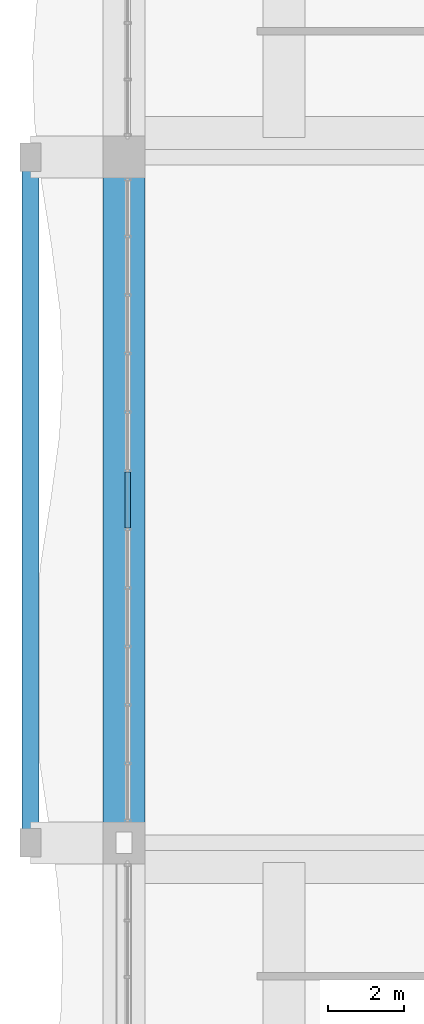
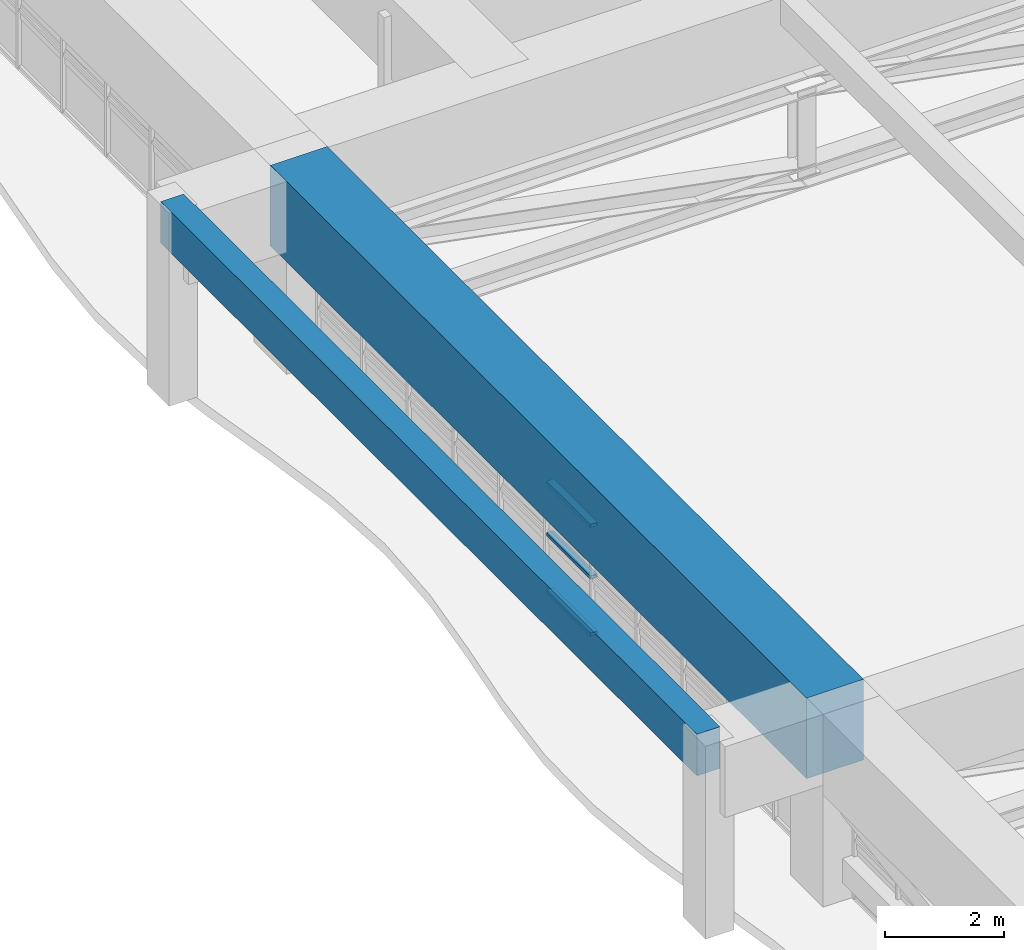
# One storey, part 9 of 35: 3 members, 2 beams, 1 element without a shape of its own.
"""IFC4 building model written with IfcOpenShell, lengths in metres."""

from ifc_helpers import new_model, si_unit, direction, frame, origin, origin_2d, place, context, subcontext, project, spatial, rectangle, hollow_rectangle, extrude, source, transform, mapped, material, layer, layer_set, material_profile, profile_set, type_object, element, aggregate, save


model = new_model("IFC4")

# Units and contexts
model_context = context("Model", 3, precision=1e-05, world=origin(), true_north=direction((0.0, 1.0)))
body_context = subcontext(model_context, "Body", "Model", "MODEL_VIEW")
ifc_project = project(units=[si_unit("LENGTHUNIT", "METRE"), si_unit("AREAUNIT", "SQUARE_METRE"), si_unit("VOLUMEUNIT", "CUBIC_METRE"), si_unit("PLANEANGLEUNIT", "RADIAN"), si_unit("MASSUNIT", "GRAM", prefix="KILO")], contexts=[model_context])

# Site, building, storey
site_placement = place(None, origin())
site = spatial("IfcSite", under=ifc_project, at=site_placement, CompositionType="ELEMENT")
building_placement = place(site_placement, origin())
building = spatial("IfcBuilding", under=site, at=building_placement, Name="Saelheon Loggia Tower", CompositionType="ELEMENT")
storey_placement = place(building_placement, frame((0.0, 0.0, 70.39990234375)))
storey = spatial("IfcBuildingStorey", under=building, at=storey_placement, Name="L22", CompositionType="ELEMENT", Elevation=70.39990234375)

# Beams
ifc_material_1 = material(Name="Precast Concrete C45/55", Category="concrete")
ifc_material_profile_1 = material_profile(ifc_material_1, rectangle(XDim=0.449951171875, YDim=0.85009765625, at=origin_2d()), Name="RC-450x850")
ifc_profile_set_1 = profile_set([ifc_material_profile_1], Name="Precast Concrete C45/55")
beam_type_1 = type_object("IfcBeamType", Name="Beam_LoggiaSpandrel_RC450x850", PredefinedType="SPANDREL", material=ifc_profile_set_1)
shared_shape_1 = source(origin(), body_context, "Body", "SweptSolid", [
    extrude(rectangle(XDim=0.449951171875, YDim=0.85009765625, at=origin_2d()), origin(), (0.0, 0.0, 1.0), 18.0),
])
beam_1_placement = place(storey_placement, frame((9.550048828125, 18.0, 3.525146484375), z_axis=(0.0, 1.0, 0.0), x_axis=(-1.0, 0.0, 0.0)))
element("IfcBeam", 1, at=beam_1_placement, inside=storey, type_object=beam_type_1, Name="L22 Loggia Spandrel Beam W", PredefinedType="SPANDREL", context=body_context, shape_type="MappedRepresentation", body=[
    mapped(shared_shape_1, transform((0.0, 0.0, 0.0), scale=1.0)),
])
ifc_material_2 = material(Name="Concrete C50/60", Category="concrete")
ifc_material_profile_2 = material_profile(ifc_material_2, rectangle(XDim=1.10009765625, YDim=1.64990234375, at=origin_2d()), Name="RC-1100x1650")
ifc_profile_set_2 = profile_set([ifc_material_profile_2], Name="Concrete C50/60")
beam_type_2 = type_object("IfcBeamType", Name="Beam_PerimMega_RC1100x1650", PredefinedType="BEAM", material=ifc_profile_set_2)
shared_shape_2 = source(origin(), body_context, "Body", "SweptSolid", [
    extrude(rectangle(XDim=1.10009765625, YDim=1.64990234375, at=origin_2d()), origin(), (0.0, 0.0, 1.0), 18.0),
])
beam_2_placement = place(storey_placement, frame((12.0, 36.0, 3.125), z_axis=(0.0, -1.0, 0.0), x_axis=(1.0, 0.0, 0.0)))
element("IfcBeam", 2, at=beam_2_placement, inside=storey, type_object=beam_type_2, Name="L22 Perimeter Frame Girder 14", PredefinedType="BEAM", context=body_context, shape_type="MappedRepresentation", body=[
    mapped(shared_shape_2, transform((0.0, 0.0, 0.0), scale=1.0)),
])

# Curtain wall, members
ifc_material_3 = material(Name="Anodised Aluminium Acoustic Louvre Curtain Wall", Category="aluminium")
ifc_layer = layer(ifc_material_3, 0.179931640625)
ifc_layer_set = layer_set([ifc_layer], Name="Anodised Aluminium Acoustic Louvre Curtain Wall")
curtain_wall_type = type_object("IfcCurtainWallType", Name="CW_RefugeAcoustic", PredefinedType="NOTDEFINED", material=ifc_layer_set)
curtain_wall_placement = place(storey_placement, origin())
curtain_wall = element("IfcCurtainWall", 3, at=curtain_wall_placement, inside=storey, type_object=curtain_wall_type, Name="L22 W Refuge Acoustic Curtain Wall 2", PredefinedType="NOTDEFINED")
ifc_material_4 = material(Name="Anodised Aluminium 6063-T6", Category="aluminium")
ifc_material_profile_3 = material_profile(ifc_material_4, hollow_rectangle(XDim=0.06494140625, YDim=0.139892578125, WallThickness=0.00390625, at=origin_2d()), Name="RHS-140x65x4")
ifc_profile_set_3 = profile_set([ifc_material_profile_3], Name="Anodised Aluminium 6063-T6")
member_type = type_object("IfcMemberType", Name="CW_RefugeAcoustic_Transom", PredefinedType="USERDEFINED", material=ifc_profile_set_3)
shared_shape_3 = source(origin(), body_context, "Body", "SweptSolid", [
    extrude(hollow_rectangle(XDim=0.06494140625, YDim=0.139892578125, WallThickness=0.00390625, at=origin_2d()), origin(), (0.0, 0.0, 1.0), 1.47119140625),
])
member_1_placement = place(storey_placement, frame((12.10009765625, 26.264404296875, 0.03271484375), z_axis=(0.0, 1.0, 0.0), x_axis=(0.0, 0.0, 1.0)))
member_1 = element("IfcMember", 4, at=member_1_placement, type_object=member_type, Name="CW5 transom 6.1", ObjectType="TRANSOM", PredefinedType="USERDEFINED", context=body_context, shape_type="MappedRepresentation", body=[
    mapped(shared_shape_3, transform((0.0, 0.0, 0.0), scale=1.0)),
])
member_2_placement = place(storey_placement, frame((12.10009765625, 26.264404296875, 1.2001953125), z_axis=(0.0, 1.0, 0.0), x_axis=(0.0, 0.0, 1.0)))
member_2 = element("IfcMember", 5, at=member_2_placement, type_object=member_type, Name="CW5 transom 6.2", ObjectType="TRANSOM", PredefinedType="USERDEFINED", context=body_context, shape_type="MappedRepresentation", body=[
    mapped(shared_shape_3, transform((0.0, 0.0, 0.0), scale=1.0)),
])
member_3_placement = place(storey_placement, frame((12.10009765625, 26.264404296875, 2.257568359375), z_axis=(0.0, 1.0, 0.0), x_axis=(0.0, 0.0, 1.0)))
member_3 = element("IfcMember", 6, at=member_3_placement, type_object=member_type, Name="CW5 transom 6.3", ObjectType="TRANSOM", PredefinedType="USERDEFINED", context=body_context, shape_type="MappedRepresentation", body=[
    mapped(shared_shape_3, transform((0.0, 0.0, 0.0), scale=1.0)),
])
aggregate(curtain_wall, [member_1, member_2, member_3])

save(model, "model.ifc")
